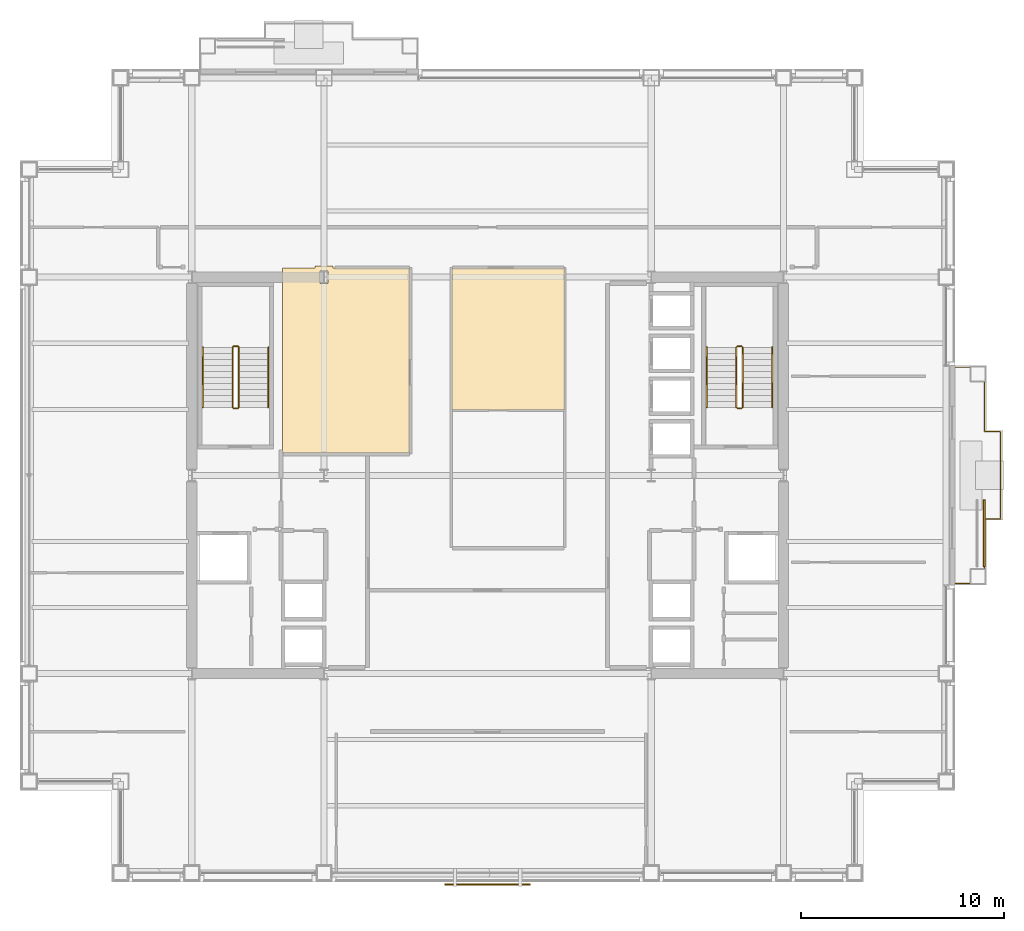
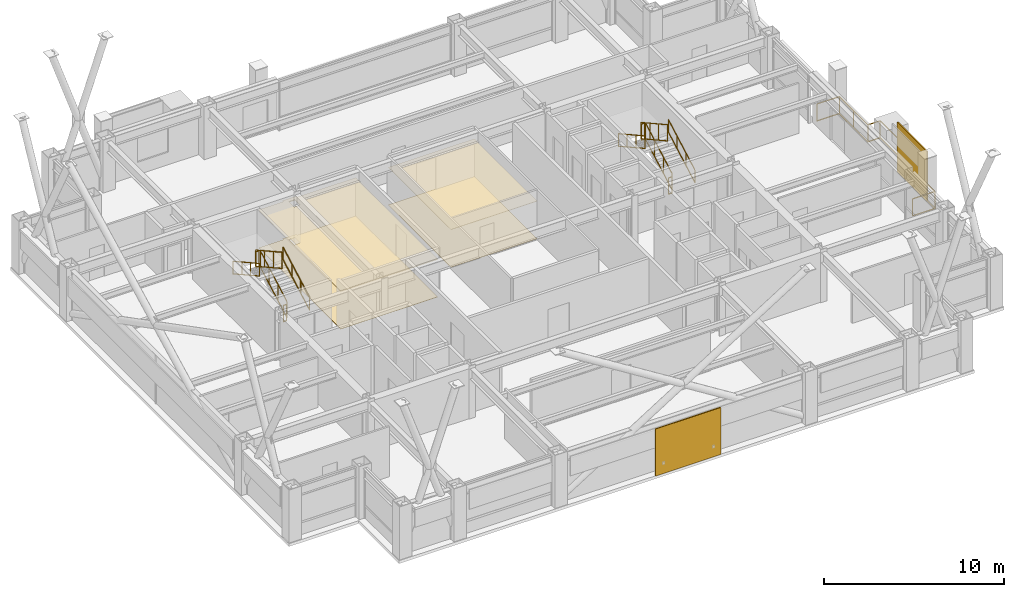
# One storey, part 33 of 35: 13 railings, 4 coverings, 2 shading devices.
"""IFC4 building model written with IfcOpenShell, lengths in metres."""

from ifc_helpers import new_model, si_unit, direction, frame, origin, origin_2d, place, context, subcontext, project, spatial, polyline, rectangle, outline, extrude, material, layer, layer_set, type_object, element, save


model = new_model("IFC4")

# Units and contexts
model_context = context("Model", 3, precision=1e-05, world=origin(), true_north=direction((0.0, 1.0)))
body_context = subcontext(model_context, "Body", "Model", "MODEL_VIEW")
ifc_project = project(units=[si_unit("LENGTHUNIT", "METRE"), si_unit("AREAUNIT", "SQUARE_METRE"), si_unit("VOLUMEUNIT", "CUBIC_METRE"), si_unit("PLANEANGLEUNIT", "RADIAN"), si_unit("MASSUNIT", "GRAM", prefix="KILO")], contexts=[model_context])

# Site, building, storey
site_placement = place(None, origin())
site = spatial("IfcSite", under=ifc_project, at=site_placement, CompositionType="ELEMENT")
building_placement = place(site_placement, origin())
building = spatial("IfcBuilding", under=site, at=building_placement, Name="Brelmoor Portico Tower", CompositionType="ELEMENT")
storey_placement = place(building_placement, frame((0.0, 0.0, 131.39990234375)))
storey = spatial("IfcBuildingStorey", under=building, at=storey_placement, Name="L34", CompositionType="ELEMENT", Elevation=131.39990234375)

# Coverings
ifc_material_1 = material(Name="Perforated Mineral-Fibre Acoustic Ceiling Tile", Category="gypsum")
ifc_layer_1 = layer(ifc_material_1, 0.02490234375)
ifc_layer_set_1 = layer_set([ifc_layer_1], Name="Perforated Mineral-Fibre Acoustic Ceiling Tile")
covering_type_1 = type_object("IfcCoveringType", Name="CV-CEIL-GYPSUM-25", PredefinedType="CEILING", material=ifc_layer_set_1)
covering_1_placement = place(storey_placement, frame((0.0, 0.0, 2.550048828125)))
element("IfcCovering", 1, at=covering_1_placement, inside=storey, type_object=covering_type_1, Name="L34 Acoustic Suspended Ceiling 02", PredefinedType="CEILING", context=body_context, shape_type="SweptSolid", body=[
    extrude(outline(polyline([(-1.760009765625, 3.219970703125), (-1.760009765625, 10.2099609375), (3.780029296875, 10.2099609375), (3.780029296875, 3.219970703125), (-1.760009765625, 3.219970703125)])), origin(), (0.0, 0.0, 1.0), 0.025146484375),
])
ifc_material_2 = material(Name="Slatted FSC Oak Acoustic Feature Ceiling", Category="timber")
ifc_layer_2 = layer(ifc_material_2, 0.052001953125)
ifc_layer_set_2 = layer_set([ifc_layer_2], Name="Slatted FSC Oak Acoustic Feature Ceiling")
covering_type_2 = type_object("IfcCoveringType", Name="CV-CEIL-TIMBER-52", PredefinedType="CEILING", material=ifc_layer_set_2)
covering_2_placement = place(storey_placement, frame((0.0, 0.0, 2.550048828125)))
element("IfcCovering", 2, at=covering_2_placement, inside=storey, type_object=covering_type_2, Name="L34 Acoustic Suspended Ceiling 01", PredefinedType="CEILING", context=body_context, shape_type="SweptSolid", body=[
    extrude(outline(polyline([(-10.080078125, 10.2099609375), (-8.5, 10.2099609375), (-8.5, 10.300048828125), (-7.60009765625, 10.300048828125), (-7.60009765625, 10.2099609375), (-3.840087890625, 10.2099609375), (-3.840087890625, 1.090087890625), (-10.080078125, 1.090087890625), (-10.080078125, 10.2099609375)]), holes=[polyline([(-7.85009765625, 9.449951171875), (-7.85009765625, 10.050048828125), (-8.25, 10.050048828125), (-8.25, 9.449951171875), (-7.85009765625, 9.449951171875)])]), origin(), (0.0, 0.0, 1.0), 0.052001953125),
])
ifc_material_3 = material(Name="Rectified Vitrified Porcelain Floor Tile", Category="ceramic")
ifc_layer_3 = layer(ifc_material_3, 0.01806640625)
ifc_layer_set_3 = layer_set([ifc_layer_3], Name="Rectified Vitrified Porcelain Floor Tile")
covering_type_3 = type_object("IfcCoveringType", Name="CV-FLR-PORCELAIN-18", PredefinedType="FLOORING", material=ifc_layer_set_3)
covering_3_placement = place(storey_placement, origin())
element("IfcCovering", 3, at=covering_3_placement, inside=storey, type_object=covering_type_3, Name="L34 Architectural Floor Finish 01", PredefinedType="FLOORING", context=body_context, shape_type="SweptSolid", body=[
    extrude(outline(polyline([(-10.080078125, 10.2099609375), (-8.5, 10.2099609375), (-8.5, 10.300048828125), (-7.60009765625, 10.300048828125), (-7.60009765625, 10.2099609375), (-3.840087890625, 10.2099609375), (-3.840087890625, 1.090087890625), (-10.080078125, 1.090087890625), (-10.080078125, 10.2099609375)]), holes=[polyline([(-7.85009765625, 9.449951171875), (-7.85009765625, 10.050048828125), (-8.25, 10.050048828125), (-8.25, 9.449951171875), (-7.85009765625, 9.449951171875)])]), origin(), (0.0, 0.0, 1.0), 0.01806640625),
])
ifc_material_4 = material(Name="Engineered Quarter-Sawn Oak Parquet Flooring", Category="timber")
ifc_layer_4 = layer(ifc_material_4, 0.02197265625)
ifc_layer_set_4 = layer_set([ifc_layer_4], Name="Engineered Quarter-Sawn Oak Parquet Flooring")
covering_type_4 = type_object("IfcCoveringType", Name="CV-FLR-TIMBER-22", PredefinedType="FLOORING", material=ifc_layer_set_4)
covering_4_placement = place(storey_placement, origin())
element("IfcCovering", 4, at=covering_4_placement, inside=storey, type_object=covering_type_4, Name="L34 Architectural Floor Finish 02", PredefinedType="FLOORING", context=body_context, shape_type="SweptSolid", body=[
    extrude(outline(polyline([(-1.760009765625, 3.219970703125), (-1.760009765625, 10.2099609375), (3.780029296875, 10.2099609375), (3.780029296875, 3.219970703125), (-1.760009765625, 3.219970703125)])), origin(), (0.0, 0.0, 1.0), 0.022216796875),
])

# Railings
ifc_material_5 = material(Name="Perforated Pale Champagne Aluminium Fretwork Guard", Category="aluminium")
railing_type_1 = type_object("IfcRailingType", Name="RL-BALUSTRADE-1200", PredefinedType="BALUSTRADE", material=ifc_material_5)
railing_1_placement = place(storey_placement, frame((23.0, -5.320068359375, 0.0)))
element("IfcRailing", 5, at=railing_1_placement, inside=storey, type_object=railing_type_1, Name="L34 Tree Balcony Fretwork Balustrade E", PredefinedType="BALUSTRADE", context=body_context, shape_type="SweptSolid", body=[
    extrude(rectangle(XDim=0.048095703125, YDim=0.048095703125, at=origin_2d()), frame((0.0, 0.0, 1.17578125), z_axis=(1.0, 0.0, 0.0), x_axis=(0.0, 1.0, 0.0)), (0.0, 0.0, 1.0), 1.429931640625),
    extrude(rectangle(XDim=0.048095703125, YDim=0.048095703125, at=origin_2d()), frame((0.0, 0.0, 0.02392578125), z_axis=(1.0, 0.0, 0.0), x_axis=(0.0, 1.0, 0.0)), (0.0, 0.0, 1.0), 1.429931640625),
    extrude(rectangle(XDim=0.048095703125, YDim=0.048095703125, at=origin_2d()), frame((1.429931640625, 0.0, 1.17578125), z_axis=(0.0, 1.0, 0.0), x_axis=(-1.0, 0.0, 0.0)), (0.0, 0.0, 1.0), 3.170166015625),
    extrude(rectangle(XDim=0.048095703125, YDim=0.048095703125, at=origin_2d()), frame((1.429931640625, 0.0, 0.02392578125), z_axis=(0.0, 1.0, 0.0), x_axis=(-1.0, 0.0, 0.0)), (0.0, 0.0, 1.0), 3.170166015625),
    extrude(rectangle(XDim=0.048095703125, YDim=0.048095703125, at=origin_2d()), frame((1.429931640625, 3.170166015625, 1.17578125), z_axis=(1.0, 0.0, 0.0), x_axis=(0.0, 1.0, 0.0)), (0.0, 0.0, 1.0), 0.800048828125),
    extrude(rectangle(XDim=0.048095703125, YDim=0.048095703125, at=origin_2d()), frame((1.429931640625, 3.170166015625, 0.02392578125), z_axis=(1.0, 0.0, 0.0), x_axis=(0.0, 1.0, 0.0)), (0.0, 0.0, 1.0), 0.800048828125),
    extrude(rectangle(XDim=0.048095703125, YDim=0.048095703125, at=origin_2d()), frame((2.22998046875, 3.170166015625, 1.17578125), z_axis=(0.0, 1.0, 0.0), x_axis=(-1.0, 0.0, 0.0)), (0.0, 0.0, 1.0), 4.2998046875),
    extrude(rectangle(XDim=0.048095703125, YDim=0.048095703125, at=origin_2d()), frame((2.22998046875, 3.170166015625, 0.02392578125), z_axis=(0.0, 1.0, 0.0), x_axis=(-1.0, 0.0, 0.0)), (0.0, 0.0, 1.0), 4.2998046875),
    extrude(rectangle(XDim=0.048095703125, YDim=0.048095703125, at=origin_2d()), frame((2.22998046875, 7.469970703125, 1.17578125), z_axis=(-1.0, 0.0, 0.0), x_axis=(0.0, -1.0, 0.0)), (0.0, 0.0, 1.0), 0.800048828125),
    extrude(rectangle(XDim=0.048095703125, YDim=0.048095703125, at=origin_2d()), frame((2.22998046875, 7.469970703125, 0.02392578125), z_axis=(-1.0, 0.0, 0.0), x_axis=(0.0, -1.0, 0.0)), (0.0, 0.0, 1.0), 0.800048828125),
    extrude(rectangle(XDim=0.048095703125, YDim=0.048095703125, at=origin_2d()), frame((1.429931640625, 7.469970703125, 1.17578125), z_axis=(0.0, 1.0, 0.0), x_axis=(-1.0, 0.0, 0.0)), (0.0, 0.0, 1.0), 3.170166015625),
    extrude(rectangle(XDim=0.048095703125, YDim=0.048095703125, at=origin_2d()), frame((1.429931640625, 7.469970703125, 0.02392578125), z_axis=(0.0, 1.0, 0.0), x_axis=(-1.0, 0.0, 0.0)), (0.0, 0.0, 1.0), 3.170166015625),
    extrude(rectangle(XDim=0.048095703125, YDim=0.048095703125, at=origin_2d()), frame((1.429931640625, 10.64013671875, 1.17578125), z_axis=(-1.0, 0.0, 0.0), x_axis=(0.0, -1.0, 0.0)), (0.0, 0.0, 1.0), 1.429931640625),
    extrude(rectangle(XDim=0.048095703125, YDim=0.048095703125, at=origin_2d()), frame((1.429931640625, 10.64013671875, 0.02392578125), z_axis=(-1.0, 0.0, 0.0), x_axis=(0.0, -1.0, 0.0)), (0.0, 0.0, 1.0), 1.429931640625),
    extrude(rectangle(XDim=0.0419921875, YDim=0.0419921875, at=origin_2d()), origin(), (0.0, 0.0, 1.0), 1.15185546875),
    extrude(rectangle(XDim=0.0419921875, YDim=0.0419921875, at=origin_2d()), frame((1.429931640625, 0.0, 0.0)), (0.0, 0.0, 1.0), 1.15185546875),
    extrude(rectangle(XDim=0.0419921875, YDim=0.0419921875, at=origin_2d()), frame((1.429931640625, 1.5849609375, 0.0)), (0.0, 0.0, 1.0), 1.15185546875),
    extrude(rectangle(XDim=0.0419921875, YDim=0.0419921875, at=origin_2d()), frame((1.429931640625, 3.170166015625, 0.0)), (0.0, 0.0, 1.0), 1.15185546875),
    extrude(rectangle(XDim=0.0419921875, YDim=0.0419921875, at=origin_2d()), frame((2.22998046875, 3.170166015625, 0.0)), (0.0, 0.0, 1.0), 1.15185546875),
    extrude(rectangle(XDim=0.0419921875, YDim=0.0419921875, at=origin_2d()), frame((2.22998046875, 5.320068359375, 0.0)), (0.0, 0.0, 1.0), 1.15185546875),
    extrude(rectangle(XDim=0.0419921875, YDim=0.0419921875, at=origin_2d()), frame((2.22998046875, 7.469970703125, 0.0)), (0.0, 0.0, 1.0), 1.15185546875),
    extrude(rectangle(XDim=0.0419921875, YDim=0.0419921875, at=origin_2d()), frame((1.429931640625, 7.469970703125, 0.0)), (0.0, 0.0, 1.0), 1.15185546875),
    extrude(rectangle(XDim=0.0419921875, YDim=0.0419921875, at=origin_2d()), frame((1.429931640625, 9.05517578125, 0.0)), (0.0, 0.0, 1.0), 1.15185546875),
    extrude(rectangle(XDim=0.0419921875, YDim=0.0419921875, at=origin_2d()), frame((1.429931640625, 10.64013671875, 0.0)), (0.0, 0.0, 1.0), 1.15185546875),
    extrude(rectangle(XDim=0.0419921875, YDim=0.0419921875, at=origin_2d()), frame((0.0, 10.64013671875, 0.0)), (0.0, 0.0, 1.0), 1.15185546875),
])
ifc_material_6 = material(Name="Painted Tubular Steel Q235B", Category="steel")
railing_type_2 = type_object("IfcRailingType", Name="RL-STAIR-GUARD", PredefinedType="GUARDRAIL", material=ifc_material_6)
railing_2_placement = place(storey_placement, frame((-12.239990234375, 3.35009765625, 0.163818359375)))
element("IfcRailing", 6, at=railing_2_placement, inside=storey, type_object=railing_type_2, Name="L34 ST-W stair guard 1", PredefinedType="GUARDRAIL", context=body_context, shape_type="SweptSolid", body=[
    extrude(rectangle(XDim=0.048095703125, YDim=0.048095703125, at=origin_2d()), frame((0.0, 0.0, 1.1259765625), z_axis=(0.0, 0.87448821551, 0.485046761595), x_axis=(-1.0, 0.0, 0.0)), (0.0, 0.0, 1.0), 3.373291015625),
    extrude(rectangle(XDim=0.048095703125, YDim=0.048095703125, at=origin_2d()), frame((0.0, 0.0, 0.02392578125), z_axis=(0.0, 0.87448821551, 0.485046761595), x_axis=(-1.0, 0.0, 0.0)), (0.0, 0.0, 1.0), 3.373291015625),
    extrude(rectangle(XDim=0.0419921875, YDim=0.0419921875, at=origin_2d()), origin(), (0.0, 0.0, 1.0), 1.101806640625),
    extrude(rectangle(XDim=0.0419921875, YDim=0.0419921875, at=origin_2d()), frame((0.0, 0.9833984375, 0.54541015625)), (0.0, 0.0, 1.0), 1.101806640625),
    extrude(rectangle(XDim=0.0419921875, YDim=0.0419921875, at=origin_2d()), frame((0.0, 1.966552734375, 1.0908203125)), (0.0, 0.0, 1.0), 1.101806640625),
    extrude(rectangle(XDim=0.0419921875, YDim=0.0419921875, at=origin_2d()), frame((0.0, 2.949951171875, 1.63623046875)), (0.0, 0.0, 1.0), 1.101806640625),
])
railing_3_placement = place(storey_placement, frame((-12.2900390625, 6.35009765625, 1.800048828125)))
element("IfcRailing", 7, at=railing_3_placement, inside=storey, type_object=railing_type_2, Name="L34 ST-W stair guard 2", PredefinedType="GUARDRAIL", context=body_context, shape_type="SweptSolid", body=[
    extrude(rectangle(XDim=0.048095703125, YDim=0.048095703125, at=origin_2d()), frame((0.0, 0.0, 1.1259765625), z_axis=(-1.0, 0.0, 0.0), x_axis=(0.0, -1.0, 0.0)), (0.0, 0.0, 1.0), 0.199951171875),
    extrude(rectangle(XDim=0.048095703125, YDim=0.048095703125, at=origin_2d()), frame((0.0, 0.0, 0.02392578125), z_axis=(-1.0, 0.0, 0.0), x_axis=(0.0, -1.0, 0.0)), (0.0, 0.0, 1.0), 0.199951171875),
    extrude(rectangle(XDim=0.0419921875, YDim=0.0419921875, at=origin_2d()), origin(), (0.0, 0.0, 1.0), 1.101806640625),
    extrude(rectangle(XDim=0.0419921875, YDim=0.0419921875, at=origin_2d()), frame((-0.199951171875, 0.0, 0.0)), (0.0, 0.0, 1.0), 1.101806640625),
])
railing_4_placement = place(storey_placement, frame((-12.5400390625, 6.300048828125, 1.963623046875)))
element("IfcRailing", 8, at=railing_4_placement, inside=storey, type_object=railing_type_2, Name="L34 ST-W stair guard 3", PredefinedType="GUARDRAIL", context=body_context, shape_type="SweptSolid", body=[
    extrude(rectangle(XDim=0.048095703125, YDim=0.048095703125, at=origin_2d()), frame((0.0, 0.0, 1.1259765625), z_axis=(0.0, -0.874457516365, 0.485102104791), x_axis=(1.0, 0.0, 0.0)), (0.0, 0.0, 1.0), 3.37353515625),
    extrude(rectangle(XDim=0.048095703125, YDim=0.048095703125, at=origin_2d()), frame((0.0, 0.0, 0.02392578125), z_axis=(0.0, -0.874457516365, 0.485102104791), x_axis=(1.0, 0.0, 0.0)), (0.0, 0.0, 1.0), 3.37353515625),
    extrude(rectangle(XDim=0.0419921875, YDim=0.0419921875, at=origin_2d()), origin(), (0.0, 0.0, 1.0), 1.101806640625),
    extrude(rectangle(XDim=0.0419921875, YDim=0.0419921875, at=origin_2d()), frame((0.0, -0.9833984375, 0.54541015625)), (0.0, 0.0, 1.0), 1.101806640625),
    extrude(rectangle(XDim=0.0419921875, YDim=0.0419921875, at=origin_2d()), frame((0.0, -1.966552734375, 1.091064453125)), (0.0, 0.0, 1.0), 1.101806640625),
    extrude(rectangle(XDim=0.0419921875, YDim=0.0419921875, at=origin_2d()), frame((0.0, -2.949951171875, 1.636474609375)), (0.0, 0.0, 1.0), 1.101806640625),
])
railing_5_placement = place(storey_placement, frame((-12.2900390625, 3.300048828125, 0.0)))
element("IfcRailing", 9, at=railing_5_placement, inside=storey, type_object=railing_type_2, Name="L34 ST-W stair guard 4", PredefinedType="GUARDRAIL", context=body_context, shape_type="SweptSolid", body=[
    extrude(rectangle(XDim=0.048095703125, YDim=0.048095703125, at=origin_2d()), frame((0.0, 0.0, 1.1259765625), z_axis=(-1.0, 0.0, 0.0), x_axis=(0.0, -1.0, 0.0)), (0.0, 0.0, 1.0), 0.199951171875),
    extrude(rectangle(XDim=0.048095703125, YDim=0.048095703125, at=origin_2d()), frame((0.0, 0.0, 0.02392578125), z_axis=(-1.0, 0.0, 0.0), x_axis=(0.0, -1.0, 0.0)), (0.0, 0.0, 1.0), 0.199951171875),
    extrude(rectangle(XDim=0.0419921875, YDim=0.0419921875, at=origin_2d()), origin(), (0.0, 0.0, 1.0), 1.101806640625),
    extrude(rectangle(XDim=0.0419921875, YDim=0.0419921875, at=origin_2d()), frame((-0.199951171875, 0.0, 0.0)), (0.0, 0.0, 1.0), 1.101806640625),
])
railing_6_placement = place(storey_placement, frame((12.5400390625, 3.35009765625, 0.163818359375)))
element("IfcRailing", 10, at=railing_6_placement, inside=storey, type_object=railing_type_2, Name="L34 ST-E stair guard 1", PredefinedType="GUARDRAIL", context=body_context, shape_type="SweptSolid", body=[
    extrude(rectangle(XDim=0.048095703125, YDim=0.048095703125, at=origin_2d()), frame((0.0, 0.0, 1.1259765625), z_axis=(0.0, 0.87448821551, 0.485046761595), x_axis=(-1.0, 0.0, 0.0)), (0.0, 0.0, 1.0), 3.373291015625),
    extrude(rectangle(XDim=0.048095703125, YDim=0.048095703125, at=origin_2d()), frame((0.0, 0.0, 0.02392578125), z_axis=(0.0, 0.87448821551, 0.485046761595), x_axis=(-1.0, 0.0, 0.0)), (0.0, 0.0, 1.0), 3.373291015625),
    extrude(rectangle(XDim=0.0419921875, YDim=0.0419921875, at=origin_2d()), origin(), (0.0, 0.0, 1.0), 1.101806640625),
    extrude(rectangle(XDim=0.0419921875, YDim=0.0419921875, at=origin_2d()), frame((0.0, 0.9833984375, 0.54541015625)), (0.0, 0.0, 1.0), 1.101806640625),
    extrude(rectangle(XDim=0.0419921875, YDim=0.0419921875, at=origin_2d()), frame((0.0, 1.966552734375, 1.0908203125)), (0.0, 0.0, 1.0), 1.101806640625),
    extrude(rectangle(XDim=0.0419921875, YDim=0.0419921875, at=origin_2d()), frame((0.0, 2.949951171875, 1.63623046875)), (0.0, 0.0, 1.0), 1.101806640625),
])
railing_7_placement = place(storey_placement, frame((12.489990234375, 6.35009765625, 1.800048828125)))
element("IfcRailing", 11, at=railing_7_placement, inside=storey, type_object=railing_type_2, Name="L34 ST-E stair guard 2", PredefinedType="GUARDRAIL", context=body_context, shape_type="SweptSolid", body=[
    extrude(rectangle(XDim=0.048095703125, YDim=0.048095703125, at=origin_2d()), frame((0.0, 0.0, 1.1259765625), z_axis=(-1.0, 0.0, 0.0), x_axis=(0.0, -1.0, 0.0)), (0.0, 0.0, 1.0), 0.199951171875),
    extrude(rectangle(XDim=0.048095703125, YDim=0.048095703125, at=origin_2d()), frame((0.0, 0.0, 0.02392578125), z_axis=(-1.0, 0.0, 0.0), x_axis=(0.0, -1.0, 0.0)), (0.0, 0.0, 1.0), 0.199951171875),
    extrude(rectangle(XDim=0.0419921875, YDim=0.0419921875, at=origin_2d()), origin(), (0.0, 0.0, 1.0), 1.101806640625),
    extrude(rectangle(XDim=0.0419921875, YDim=0.0419921875, at=origin_2d()), frame((-0.199951171875, 0.0, 0.0)), (0.0, 0.0, 1.0), 1.101806640625),
])
railing_8_placement = place(storey_placement, frame((12.239990234375, 6.300048828125, 1.963623046875)))
element("IfcRailing", 12, at=railing_8_placement, inside=storey, type_object=railing_type_2, Name="L34 ST-E stair guard 3", PredefinedType="GUARDRAIL", context=body_context, shape_type="SweptSolid", body=[
    extrude(rectangle(XDim=0.048095703125, YDim=0.048095703125, at=origin_2d()), frame((0.0, 0.0, 1.1259765625), z_axis=(0.0, -0.874457516365, 0.485102104791), x_axis=(1.0, 0.0, 0.0)), (0.0, 0.0, 1.0), 3.37353515625),
    extrude(rectangle(XDim=0.048095703125, YDim=0.048095703125, at=origin_2d()), frame((0.0, 0.0, 0.02392578125), z_axis=(0.0, -0.874457516365, 0.485102104791), x_axis=(1.0, 0.0, 0.0)), (0.0, 0.0, 1.0), 3.37353515625),
    extrude(rectangle(XDim=0.0419921875, YDim=0.0419921875, at=origin_2d()), origin(), (0.0, 0.0, 1.0), 1.101806640625),
    extrude(rectangle(XDim=0.0419921875, YDim=0.0419921875, at=origin_2d()), frame((0.0, -0.9833984375, 0.54541015625)), (0.0, 0.0, 1.0), 1.101806640625),
    extrude(rectangle(XDim=0.0419921875, YDim=0.0419921875, at=origin_2d()), frame((0.0, -1.966552734375, 1.091064453125)), (0.0, 0.0, 1.0), 1.101806640625),
    extrude(rectangle(XDim=0.0419921875, YDim=0.0419921875, at=origin_2d()), frame((0.0, -2.949951171875, 1.636474609375)), (0.0, 0.0, 1.0), 1.101806640625),
])
railing_9_placement = place(storey_placement, frame((12.489990234375, 3.300048828125, 0.0)))
element("IfcRailing", 13, at=railing_9_placement, inside=storey, type_object=railing_type_2, Name="L34 ST-E stair guard 4", PredefinedType="GUARDRAIL", context=body_context, shape_type="SweptSolid", body=[
    extrude(rectangle(XDim=0.048095703125, YDim=0.048095703125, at=origin_2d()), frame((0.0, 0.0, 1.1259765625), z_axis=(-1.0, 0.0, 0.0), x_axis=(0.0, -1.0, 0.0)), (0.0, 0.0, 1.0), 0.199951171875),
    extrude(rectangle(XDim=0.048095703125, YDim=0.048095703125, at=origin_2d()), frame((0.0, 0.0, 0.02392578125), z_axis=(-1.0, 0.0, 0.0), x_axis=(0.0, -1.0, 0.0)), (0.0, 0.0, 1.0), 0.199951171875),
    extrude(rectangle(XDim=0.0419921875, YDim=0.0419921875, at=origin_2d()), origin(), (0.0, 0.0, 1.0), 1.101806640625),
    extrude(rectangle(XDim=0.0419921875, YDim=0.0419921875, at=origin_2d()), frame((-0.199951171875, 0.0, 0.0)), (0.0, 0.0, 1.0), 1.101806640625),
])
ifc_material_7 = material(Name="Brushed Stainless Steel 304", Category="steel")
railing_type_3 = type_object("IfcRailingType", Name="RL-STAIR-HANDRAIL", PredefinedType="HANDRAIL", material=ifc_material_7)
railing_10_placement = place(storey_placement, frame((-10.780029296875, 3.35009765625, 0.163818359375)))
element("IfcRailing", 14, at=railing_10_placement, inside=storey, type_object=railing_type_3, Name="L34 ST-W stair handrail 1", PredefinedType="HANDRAIL", context=body_context, shape_type="SweptSolid", body=[
    extrude(rectangle(XDim=0.048095703125, YDim=0.048095703125, at=origin_2d()), frame((0.0, 0.0, 0.8759765625), z_axis=(0.0, 0.87448821551, 0.485046761595), x_axis=(-1.0, 0.0, 0.0)), (0.0, 0.0, 1.0), 3.373291015625),
    extrude(rectangle(XDim=0.048095703125, YDim=0.048095703125, at=origin_2d()), frame((0.0, 0.0, 0.02392578125), z_axis=(0.0, 0.87448821551, 0.485046761595), x_axis=(-1.0, 0.0, 0.0)), (0.0, 0.0, 1.0), 3.373291015625),
    extrude(rectangle(XDim=0.0419921875, YDim=0.0419921875, at=origin_2d()), origin(), (0.0, 0.0, 1.0), 0.851806640625),
    extrude(rectangle(XDim=0.0419921875, YDim=0.0419921875, at=origin_2d()), frame((0.0, 0.9833984375, 0.54541015625)), (0.0, 0.0, 1.0), 0.851806640625),
    extrude(rectangle(XDim=0.0419921875, YDim=0.0419921875, at=origin_2d()), frame((0.0, 1.966552734375, 1.0908203125)), (0.0, 0.0, 1.0), 0.851806640625),
    extrude(rectangle(XDim=0.0419921875, YDim=0.0419921875, at=origin_2d()), frame((0.0, 2.949951171875, 1.63623046875)), (0.0, 0.0, 1.0), 0.851806640625),
])
railing_11_placement = place(storey_placement, frame((-14.0, 6.300048828125, 1.963623046875)))
element("IfcRailing", 15, at=railing_11_placement, inside=storey, type_object=railing_type_3, Name="L34 ST-W stair handrail 2", PredefinedType="HANDRAIL", context=body_context, shape_type="SweptSolid", body=[
    extrude(rectangle(XDim=0.048095703125, YDim=0.048095703125, at=origin_2d()), frame((0.0, 0.0, 0.8759765625), z_axis=(0.0, -0.874457516365, 0.485102104791), x_axis=(1.0, 0.0, 0.0)), (0.0, 0.0, 1.0), 3.37353515625),
    extrude(rectangle(XDim=0.048095703125, YDim=0.048095703125, at=origin_2d()), frame((0.0, 0.0, 0.02392578125), z_axis=(0.0, -0.874457516365, 0.485102104791), x_axis=(1.0, 0.0, 0.0)), (0.0, 0.0, 1.0), 3.37353515625),
    extrude(rectangle(XDim=0.0419921875, YDim=0.0419921875, at=origin_2d()), origin(), (0.0, 0.0, 1.0), 0.851806640625),
    extrude(rectangle(XDim=0.0419921875, YDim=0.0419921875, at=origin_2d()), frame((0.0, -0.9833984375, 0.54541015625)), (0.0, 0.0, 1.0), 0.851806640625),
    extrude(rectangle(XDim=0.0419921875, YDim=0.0419921875, at=origin_2d()), frame((0.0, -1.966552734375, 1.091064453125)), (0.0, 0.0, 1.0), 0.851806640625),
    extrude(rectangle(XDim=0.0419921875, YDim=0.0419921875, at=origin_2d()), frame((0.0, -2.949951171875, 1.636474609375)), (0.0, 0.0, 1.0), 0.851806640625),
])
railing_12_placement = place(storey_placement, frame((14.0, 3.35009765625, 0.163818359375)))
element("IfcRailing", 16, at=railing_12_placement, inside=storey, type_object=railing_type_3, Name="L34 ST-E stair handrail 1", PredefinedType="HANDRAIL", context=body_context, shape_type="SweptSolid", body=[
    extrude(rectangle(XDim=0.048095703125, YDim=0.048095703125, at=origin_2d()), frame((0.0, 0.0, 0.8759765625), z_axis=(0.0, 0.87448821551, 0.485046761595), x_axis=(-1.0, 0.0, 0.0)), (0.0, 0.0, 1.0), 3.373291015625),
    extrude(rectangle(XDim=0.048095703125, YDim=0.048095703125, at=origin_2d()), frame((0.0, 0.0, 0.02392578125), z_axis=(0.0, 0.87448821551, 0.485046761595), x_axis=(-1.0, 0.0, 0.0)), (0.0, 0.0, 1.0), 3.373291015625),
    extrude(rectangle(XDim=0.0419921875, YDim=0.0419921875, at=origin_2d()), origin(), (0.0, 0.0, 1.0), 0.851806640625),
    extrude(rectangle(XDim=0.0419921875, YDim=0.0419921875, at=origin_2d()), frame((0.0, 0.9833984375, 0.54541015625)), (0.0, 0.0, 1.0), 0.851806640625),
    extrude(rectangle(XDim=0.0419921875, YDim=0.0419921875, at=origin_2d()), frame((0.0, 1.966552734375, 1.0908203125)), (0.0, 0.0, 1.0), 0.851806640625),
    extrude(rectangle(XDim=0.0419921875, YDim=0.0419921875, at=origin_2d()), frame((0.0, 2.949951171875, 1.63623046875)), (0.0, 0.0, 1.0), 0.851806640625),
])
railing_13_placement = place(storey_placement, frame((10.780029296875, 6.300048828125, 1.963623046875)))
element("IfcRailing", 17, at=railing_13_placement, inside=storey, type_object=railing_type_3, Name="L34 ST-E stair handrail 2", PredefinedType="HANDRAIL", context=body_context, shape_type="SweptSolid", body=[
    extrude(rectangle(XDim=0.048095703125, YDim=0.048095703125, at=origin_2d()), frame((0.0, 0.0, 0.8759765625), z_axis=(0.0, -0.874457516365, 0.485102104791), x_axis=(1.0, 0.0, 0.0)), (0.0, 0.0, 1.0), 3.37353515625),
    extrude(rectangle(XDim=0.048095703125, YDim=0.048095703125, at=origin_2d()), frame((0.0, 0.0, 0.02392578125), z_axis=(0.0, -0.874457516365, 0.485102104791), x_axis=(1.0, 0.0, 0.0)), (0.0, 0.0, 1.0), 3.37353515625),
    extrude(rectangle(XDim=0.0419921875, YDim=0.0419921875, at=origin_2d()), origin(), (0.0, 0.0, 1.0), 0.851806640625),
    extrude(rectangle(XDim=0.0419921875, YDim=0.0419921875, at=origin_2d()), frame((0.0, -0.9833984375, 0.54541015625)), (0.0, 0.0, 1.0), 0.851806640625),
    extrude(rectangle(XDim=0.0419921875, YDim=0.0419921875, at=origin_2d()), frame((0.0, -1.966552734375, 1.091064453125)), (0.0, 0.0, 1.0), 0.851806640625),
    extrude(rectangle(XDim=0.0419921875, YDim=0.0419921875, at=origin_2d()), frame((0.0, -2.949951171875, 1.636474609375)), (0.0, 0.0, 1.0), 0.851806640625),
])

# Shading devices
ifc_material_8 = material(Name="Powder-Coated Aluminium Shuttered Jalousie", Category="aluminium")
ifc_layer_5 = layer(ifc_material_8, 0.080078125)
ifc_layer_set_5 = layer_set([ifc_layer_5], Name="Powder-Coated Aluminium Shuttered Jalousie")
shading_device_type_1 = type_object("IfcShadingDeviceType", Name="SD-JALOUSIE-LOGGIA", PredefinedType="JALOUSIE", material=ifc_layer_set_5)
shading_device_1_placement = place(storey_placement, frame((24.429931640625, -2.85009765625, 0.000244140625), z_axis=(0.0, 0.0, 1.0), x_axis=(0.0, 1.0, 0.0)))
element("IfcShadingDevice", 18, at=shading_device_1_placement, inside=storey, type_object=shading_device_type_1, Name="L34 Loggia Shuttered Jalousie E", PredefinedType="JALOUSIE", context=body_context, shape_type="SweptSolid", body=[
    extrude(rectangle(XDim=3.300048828125, YDim=0.080078125, at=origin_2d()), origin(), (0.0, 0.0, 1.0), 3.39990234375),
])
ifc_material_9 = material(Name="Perforated Pale Champagne Aluminium Solar Screen", Category="aluminium")
ifc_layer_6 = layer(ifc_material_9, 0.06494140625)
ifc_layer_set_6 = layer_set([ifc_layer_6], Name="Perforated Pale Champagne Aluminium Solar Screen")
shading_device_type_2 = type_object("IfcShadingDeviceType", Name="SD-SOLAR-SCREEN", PredefinedType="USERDEFINED", material=ifc_layer_set_6)
shading_device_2_placement = place(storey_placement, frame((0.0, -20.1201171875, 0.10009765625), z_axis=(0.0, 0.0, 1.0), x_axis=(1.0, 0.0, 0.0)))
element("IfcShadingDevice", 19, at=shading_device_2_placement, inside=storey, type_object=shading_device_type_2, Name="L34 Perforated Solar Screen S1", ObjectType="SCREEN", PredefinedType="USERDEFINED", context=body_context, shape_type="SweptSolid", body=[
    extrude(rectangle(XDim=4.199951171875, YDim=0.06494140625, at=origin_2d()), origin(), (0.0, 0.0, 1.0), 3.199951171875),
])

save(model, "model.ifc")
